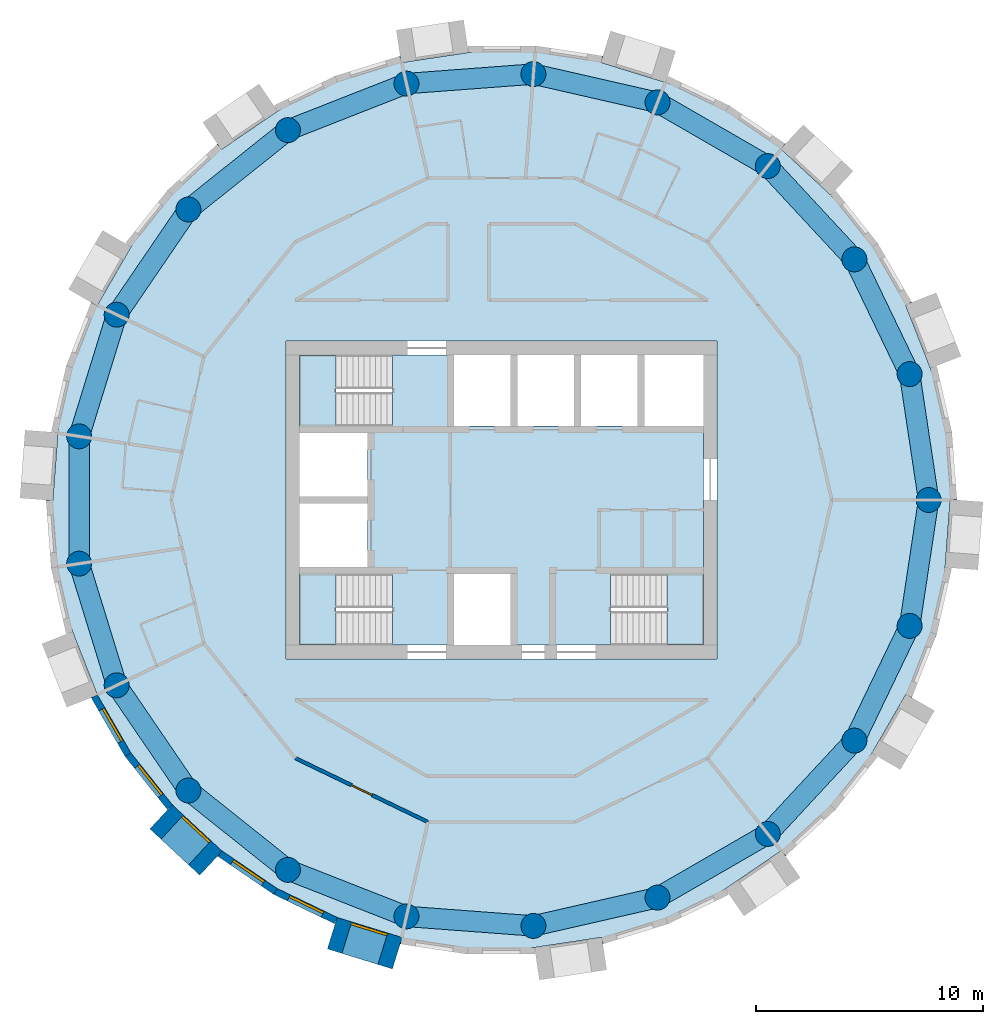
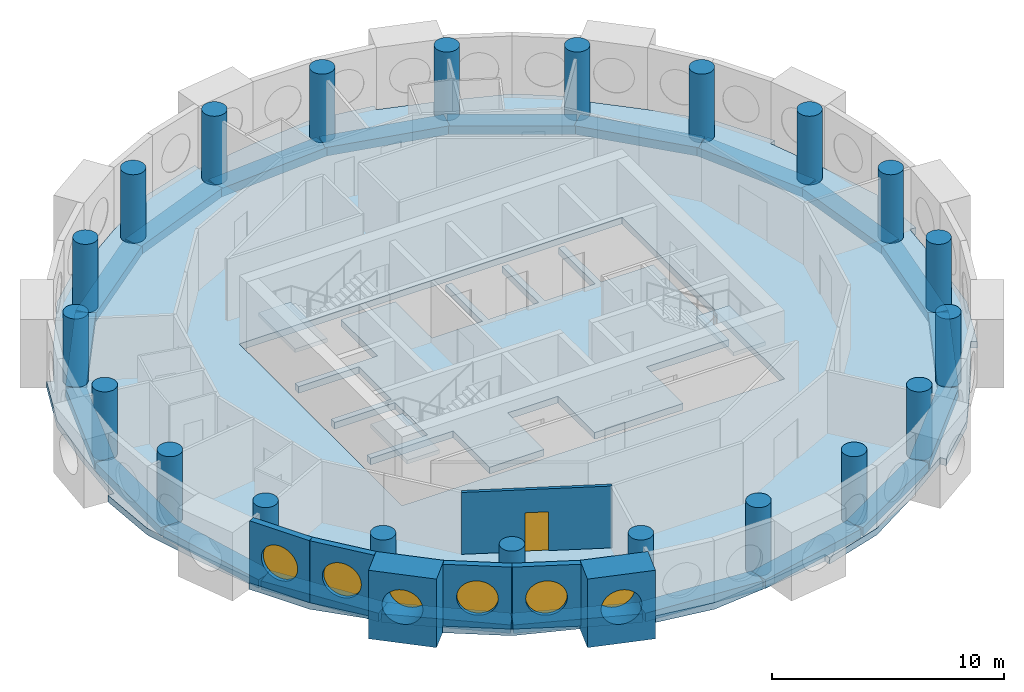
# One storey, part 1 of 12: 21 beams, 21 columns, 7 walls, 6 windows, 5 slabs, 1 door, 7 openings, 3 elements without a shape of their own.
"""IFC4 building model written with IfcOpenShell, lengths in metres."""

import ifcopenshell
import ifcopenshell.guid

model = None  # the IFC model being written
_history = None  # IfcOwnerHistory: only IFC2X3 demands one
_inside = {}  # id of a spatial element -> (the spatial element, [elements in it])
_under = {}  # id of a project, library or spatial element -> (it, [spatial elements below it])
_declared = {}  # id of a project -> (the project, [libraries it declares])
_typed = {}  # id of a type object -> (the type object, [elements of that type])
_made_of = {}  # id of a material, layer set ... -> (it, [elements and type objects made of it])


def new_model(schema):
    """Start an empty IFC model of exactly this schema.

    Asked for "IFC4X3", IfcOpenShell would pick the latest addendum, in which some entities
    have other attributes; the version numbers below select the first issue.
    IFC2X3 requires an IfcOwnerHistory on every rooted entity: one is made here for all.
    """
    global model, _history
    if schema == "IFC4X3":
        model = ifcopenshell.file(schema_version=(4, 3, 0, 0))
    else:
        model = ifcopenshell.file(schema=schema)
    _inside.clear()
    _under.clear()
    _declared.clear()
    _typed.clear()
    _made_of.clear()
    _history = None
    if model.schema == "IFC2X3":
        org = make("IfcOrganization", Name="unknown")
        user = make(
            "IfcPersonAndOrganization",
            ThePerson=make("IfcPerson", FamilyName="unknown"),
            TheOrganization=org,
        )
        app = make(
            "IfcApplication",
            ApplicationDeveloper=org,
            Version="unknown",
            ApplicationFullName="unknown",
            ApplicationIdentifier="unknown",
        )
        _history = make(
            "IfcOwnerHistory",
            OwningUser=user,
            OwningApplication=app,
            ChangeAction="ADDED",
            CreationDate=0,
        )
    return model


def make(cls, **values):
    """One entity of the class cls with the attributes given. An attribute that is None is left unset."""
    return model.create_entity(
        cls, **{name: value for name, value in values.items() if value is not None}
    )


def rooted(cls, **values):
    """An entity with a GlobalId (a new one), such as an element, a storey or a relation."""
    return make(cls, GlobalId=ifcopenshell.guid.new(), OwnerHistory=_history, **values)


def si_unit(unit_type, name, prefix=None):
    """IfcSIUnit, for example si_unit("LENGTHUNIT", "METRE", prefix="MILLI")."""
    return make("IfcSIUnit", UnitType=unit_type, Prefix=prefix, Name=name)


def assignment(units):
    """IfcUnitAssignment: the units of a project."""
    return None if units is None else make("IfcUnitAssignment", Units=units)


def point(xyz):
    """IfcCartesianPoint."""
    return None if xyz is None else make("IfcCartesianPoint", Coordinates=xyz)


def direction(xyz):
    """IfcDirection."""
    return None if xyz is None else make("IfcDirection", DirectionRatios=xyz)


def frame(location, z_axis=None, x_axis=None):
    """IfcAxis2Placement3D, a coordinate frame: its origin and axes. An axis left out is left unset."""
    return make(
        "IfcAxis2Placement3D",
        Location=point(location),
        Axis=direction(z_axis),
        RefDirection=direction(x_axis),
    )


def frame_2d(location, x_axis=None):
    """IfcAxis2Placement2D, a coordinate frame in the plane: its origin and x axis."""
    return make(
        "IfcAxis2Placement2D", Location=point(location), RefDirection=direction(x_axis)
    )


def origin():
    """The frame at (0, 0, 0) with its axes left unset."""
    return frame((0.0, 0.0, 0.0))


def origin_2d():
    """The frame at (0, 0) in the plane with its x axis left unset."""
    return frame_2d((0.0, 0.0))


def place(relative_to, where):
    """IfcLocalPlacement: puts the frame where relative to a parent placement (None: the world)."""
    return make(
        "IfcLocalPlacement", PlacementRelTo=relative_to, RelativePlacement=where
    )


def context(
    kind, dimensions, precision=None, world=None, true_north=None, identifier=None
):
    """IfcGeometricRepresentationContext, for example the 3D "Model" context."""
    return make(
        "IfcGeometricRepresentationContext",
        ContextIdentifier=identifier,
        ContextType=kind,
        CoordinateSpaceDimension=dimensions,
        Precision=precision,
        WorldCoordinateSystem=world,
        TrueNorth=true_north,
    )


def subcontext(parent, identifier, kind, view, scale=None):
    """IfcGeometricRepresentationSubContext, for example "Body" below "Model"."""
    return make(
        "IfcGeometricRepresentationSubContext",
        ContextIdentifier=identifier,
        ContextType=kind,
        ParentContext=parent,
        TargetScale=scale,
        TargetView=view,
    )


def project(units=None, contexts=None):
    """IfcProject with its units and contexts."""
    return rooted(
        "IfcProject",
        Name="project",
        RepresentationContexts=contexts,
        UnitsInContext=assignment(units),
    )


def spatial(cls, under=None, at=None, **own):
    """A site, building, storey or space (cls), placed at a placement, below another one or the project."""
    s = rooted(cls, ObjectPlacement=at, **own)
    if under is not None:
        _under.setdefault(under.id(), (under, []))[1].append(s)
    return s


def polyline(points):
    """IfcPolyline through the points."""
    return make("IfcPolyline", Points=[point(p) for p in points])


def profile(cls, at=None, kind="AREA", **sizes):
    """A parametric profile (cls). Its sizes go by their IFC names, for example OverallWidth=200.0."""
    return make(cls, ProfileType=kind, Position=at, **sizes)


def rectangle(**sizes):
    """IfcRectangleProfileDef."""
    return profile("IfcRectangleProfileDef", **sizes)


def circle(**sizes):
    """IfcCircleProfileDef."""
    return profile("IfcCircleProfileDef", **sizes)


def outline(outer, holes=None, kind="AREA"):
    """IfcArbitraryClosedProfileDef: a profile drawn as a closed curve; with holes, ...WithVoids."""
    if holes is None:
        return make("IfcArbitraryClosedProfileDef", ProfileType=kind, OuterCurve=outer)
    return make(
        "IfcArbitraryProfileDefWithVoids",
        ProfileType=kind,
        OuterCurve=outer,
        InnerCurves=holes,
    )


def extrude(swept, where, along, depth):
    """IfcExtrudedAreaSolid: the profile swept, set in the frame where, extruded along a direction by depth."""
    return make(
        "IfcExtrudedAreaSolid",
        SweptArea=swept,
        Position=where,
        ExtrudedDirection=direction(along),
        Depth=depth,
    )


def shape(context_of_items, identifier, shape_type, items):
    """IfcShapeRepresentation: the items that make up one representation, for example the "Body"."""
    return make(
        "IfcShapeRepresentation",
        ContextOfItems=context_of_items,
        RepresentationIdentifier=identifier,
        RepresentationType=shape_type,
        Items=items,
    )


def material(Name=None, Category=None):
    """IfcMaterial."""
    return make("IfcMaterial", Name=Name, Category=Category)


def layer(
    of_material, thickness, ventilated=None, Name=None, Category=None, Priority=None
):
    """IfcMaterialLayer: one layer of a wall or slab, of a material (None: an air gap)."""
    return make(
        "IfcMaterialLayer",
        Material=of_material,
        LayerThickness=thickness,
        IsVentilated=ventilated,
        Name=Name,
        Category=Category,
        Priority=Priority,
    )


def layer_set(layers, Name=None):
    """IfcMaterialLayerSet."""
    return make("IfcMaterialLayerSet", MaterialLayers=layers, LayerSetName=Name)


def material_profile(
    of_material, cross_section, Name=None, Category=None, Priority=None
):
    """IfcMaterialProfile: a cross section and its material."""
    return make(
        "IfcMaterialProfile",
        Name=Name,
        Material=of_material,
        Profile=cross_section,
        Priority=Priority,
        Category=Category,
    )


def profile_set(profiles, Name=None, composite=None):
    """IfcMaterialProfileSet."""
    return make(
        "IfcMaterialProfileSet",
        Name=Name,
        MaterialProfiles=profiles,
        CompositeProfile=composite,
    )


def made_of(thing, what):
    """Note that an element or type object is made of a material, layer set ...; save() writes the relation."""
    if what is not None:
        _made_of.setdefault(what.id(), (what, []))[1].append(thing)
    return thing


def type_object(cls, material=None, **own):
    """A type object (cls), such as IfcWallType, which elements share."""
    return made_of(rooted(cls, **own), material)


def element(
    cls,
    number,
    at=None,
    inside=None,
    cuts=None,
    type_object=None,
    material=None,
    context=None,
    identifier="Body",
    shape_type=None,
    held_by="IfcProductDefinitionShape",
    body=None,
    shapes=None,
    **own,
):
    """One element of the class cls, such as IfcWall. Its Tag is "e" and its number.

    at: its placement. inside: the storey or other place that contains it. cuts: it is an
    opening in that element (IfcRelVoidsElement). A single representation is given by context,
    identifier, shape_type and body (its items); several are given by shapes. held_by: the class
    of the entity that holds the representations. save() writes the other relations.
    """
    e = rooted(cls, Tag="e%d" % number, ObjectPlacement=at, **own)
    if body is not None:
        shapes = [shape(context, identifier, shape_type, body)]
    if shapes is not None:
        e.Representation = make(held_by, Representations=shapes)
    if inside is not None:
        _inside.setdefault(inside.id(), (inside, []))[1].append(e)
    if cuts is not None:
        rooted(
            "IfcRelVoidsElement", RelatingBuildingElement=cuts, RelatedOpeningElement=e
        )
    if type_object is not None:
        _typed.setdefault(type_object.id(), (type_object, []))[1].append(e)
    return made_of(e, material)


def fill(opening, filler):
    """IfcRelFillsElement: the door or window that sits in an opening."""
    return rooted(
        "IfcRelFillsElement",
        RelatingOpeningElement=opening,
        RelatedBuildingElement=filler,
    )


def aggregate(whole, parts):
    """IfcRelAggregates: a whole, such as a stair, and the parts it consists of."""
    return rooted("IfcRelAggregates", RelatingObject=whole, RelatedObjects=parts)


def save(model, path):
    """Write the relations noted so far, then the file.

    IfcRelAggregates (storeys below a building ...), IfcRelContainedInSpatialStructure (elements
    in a storey), IfcRelDefinesByType, IfcRelAssociatesMaterial and IfcRelDeclares: one each for
    every whole, place, type object, material and project.
    """
    for whole, parts in _under.values():
        aggregate(whole, parts)
    for where, things in _inside.values():
        rooted(
            "IfcRelContainedInSpatialStructure",
            RelatedElements=things,
            RelatingStructure=where,
        )
    for kind, things in _typed.values():
        rooted("IfcRelDefinesByType", RelatedObjects=things, RelatingType=kind)
    for what, things in _made_of.values():
        rooted("IfcRelAssociatesMaterial", RelatedObjects=things, RelatingMaterial=what)
    for by, libraries in _declared.values():
        rooted("IfcRelDeclares", RelatingContext=by, RelatedDefinitions=libraries)
    model.write(path)


model = new_model("IFC4")

# Units and contexts
model_context = context("Model", 3, precision=1e-05, world=origin(), true_north=direction((0.0, 1.0)))
body_context = subcontext(model_context, "Body", "Model", "MODEL_VIEW")
ifc_project = project(units=[si_unit("LENGTHUNIT", "METRE"), si_unit("AREAUNIT", "SQUARE_METRE"), si_unit("VOLUMEUNIT", "CUBIC_METRE"), si_unit("PLANEANGLEUNIT", "RADIAN"), si_unit("MASSUNIT", "GRAM", prefix="KILO")], contexts=[model_context])

# Site, building, storey
site_placement = place(None, origin())
site = spatial("IfcSite", under=ifc_project, at=site_placement, CompositionType="ELEMENT")
building_placement = place(site_placement, origin())
building = spatial("IfcBuilding", under=site, at=building_placement, Name="Tracery Tower", CompositionType="ELEMENT")
storey_placement = place(building_placement, frame((0.0, 0.0, 245.39990234375)))
storey = spatial("IfcBuildingStorey", under=building, at=storey_placement, Name="L63", CompositionType="ELEMENT", Elevation=245.39990234375)

# Columns
ifc_material_1 = material(Name="Concrete C40/50", Category="concrete")
ifc_material_profile_1 = material_profile(ifc_material_1, circle(Radius=0.550048828125, at=origin_2d()), Name="RC D1100")
ifc_profile_set_1 = profile_set([ifc_material_profile_1], Name="Concrete C40/50")
column_type = type_object("IfcColumnType", Name="Ring 2 column 1100", PredefinedType="COLUMN", material=ifc_profile_set_1)
for number, where, z_axis, x_axis, name in (
    (1, (18.822265625, 0.0, 0.0), (0.0, 0.0, 1.0), (1.0, 0.0, 0.0), "Ring 2 column 00 at L63"),
    (2, (17.986083984375, 5.5478515625, 0.0), (0.0, 0.0, 1.0), (1.0, 0.0, 0.0), "Ring 2 column 01 at L63"),
    (3, (15.551513671875, 10.602783203125, 0.0), (0.0, 0.0, 1.0), (1.0, 0.0, 0.0), "Ring 2 column 02 at L63"),
    (4, (11.7353515625, 14.7158203125, 0.0), (0.0, 0.0, 1.0), (1.0, 0.0, 0.0), "Ring 2 column 03 at L63"),
    (5, (6.87646484375, 17.52099609375, 0.0), (0.0, 0.0, 1.0), (1.0, 0.0, 0.0), "Ring 2 column 04 at L63"),
    (6, (1.406494140625, 18.76953125, 0.0), (0.0, 0.0, 1.0), (1.0, 0.0, 0.0), "Ring 2 column 05 at L63"),
    (7, (-4.188232421875, 18.350341796875, 0.0), (0.0, 0.0, 1.0), (1.0, 0.0, 0.0), "Ring 2 column 06 at L63"),
    (8, (-9.4111328125, 16.300537109375, 0.0), (0.0, 0.0, 1.0), (1.0, 0.0, 0.0), "Ring 2 column 07 at L63"),
    (9, (-13.797607421875, 12.802490234375, 0.0), (0.0, 0.0, 1.0), (1.0, 0.0, 0.0), "Ring 2 column 08 at L63"),
    (10, (-16.958251953125, 8.16650390625, 0.0), (0.0, 0.0, 1.0), (1.0, 0.0, 0.0), "Ring 2 column 09 at L63"),
    (11, (-18.612060546875, 2.805419921875, 0.0), (0.0, 0.0, 1.0), (1.0, 0.0, 0.0), "Ring 2 column 10 at L63"),
    (12, (-18.612060546875, -2.805419921875, 0.0), (0.0, 0.0, 1.0), (1.0, 0.0, 0.0), "Ring 2 column 11 at L63"),
    (13, (-16.958251953125, -8.166748046875, 0.0), (0.0, 0.0, 1.0), (1.0, 0.0, 0.0), "Ring 2 column 12 at L63"),
    (14, (-13.797607421875, -12.80224609375, 0.0), (0.0, 0.0, 1.0), (1.0, 0.0, 0.0), "Ring 2 column 13 at L63"),
    (15, (-9.4111328125, -16.300537109375, 0.0), (0.0, 0.0, 1.0), (1.0, 0.0, 0.0), "Ring 2 column 14 at L63"),
    (16, (-4.188232421875, -18.350341796875, 0.0), (0.0, 0.0, 1.0), (1.0, 0.0, 0.0), "Ring 2 column 15 at L63"),
    (17, (1.406494140625, -18.76953125, 0.0), (0.0, 0.0, 1.0), (1.0, 0.0, 0.0), "Ring 2 column 16 at L63"),
    (18, (6.87646484375, -17.52099609375, 0.0), (0.0, 0.0, 1.0), (1.0, 0.0, 0.0), "Ring 2 column 17 at L63"),
    (19, (11.7353515625, -14.7158203125, 0.0), (0.0, 0.0, 1.0), (1.0, 0.0, 0.0), "Ring 2 column 18 at L63"),
    (20, (15.551513671875, -10.602783203125, 0.0), (0.0, 0.0, 1.0), (1.0, 0.0, 0.0), "Ring 2 column 19 at L63"),
    (21, (17.986083984375, -5.5478515625, 0.0), (0.0, 0.0, 1.0), (1.0, 0.0, 0.0), "Ring 2 column 20 at L63"),
):
    element("IfcColumn", number, at=place(storey_placement, frame(where, z_axis=z_axis, x_axis=x_axis)), inside=storey, type_object=column_type, Name=name, PredefinedType="COLUMN", context=body_context, shape_type="SweptSolid", body=[
        extrude(circle(Radius=0.550048828125, at=origin_2d()), origin(), (0.0, 0.0, 1.0), 3.60009765625),
    ])

# Beams
ifc_material_2 = material(Name="Concrete C40/50", Category="concrete")
ifc_material_profile_2 = material_profile(ifc_material_2, rectangle(XDim=0.89990234375, YDim=0.449951171875, at=origin_2d()), Name="RC 900x450")
ifc_profile_set_2 = profile_set([ifc_material_profile_2], Name="Concrete C40/50")
beam_type = type_object("IfcBeamType", Name="Perimeter band beam 900x450", PredefinedType="BEAM", material=ifc_profile_set_2)
for number, where, z_axis, x_axis, name in (
    (22, (18.822265625, 0.0, -0.574951171875), (-0.149038355855, 0.988831415603, 0.0), (-0.988831415603, -0.149038355855, 0.0), "Perimeter beam 2.00 under L63"),
    (23, (17.986083984375, 5.5478515625, -0.574951171875), (-0.433918973155, 0.900951899235, 0.0), (-0.900951899235, -0.433918973155, 0.0), "Perimeter beam 2.01 under L63"),
):
    element("IfcBeam", number, at=place(storey_placement, frame(where, z_axis=z_axis, x_axis=x_axis)), inside=storey, type_object=beam_type, Name=name, PredefinedType="BEAM", context=body_context, shape_type="SweptSolid", body=[
        extrude(rectangle(XDim=0.89990234375, YDim=0.449951171875, at=origin_2d()), origin(), (0.0, 0.0, 1.0), 5.610595703125),
    ])
beam_1_placement = place(storey_placement, frame((15.551513671875, 10.602783203125, -0.574951171875), z_axis=(-0.680155630824, 0.733067744386, 0.0), x_axis=(-0.733067744386, -0.680155630824, 0.0)))
element("IfcBeam", 24, at=beam_1_placement, inside=storey, type_object=beam_type, Name="Perimeter beam 2.02 under L63", PredefinedType="BEAM", context=body_context, shape_type="SweptSolid", body=[
    extrude(rectangle(XDim=0.89990234375, YDim=0.449951171875, at=origin_2d()), origin(), (0.0, 0.0, 1.0), 5.61083984375),
])
for number, where, z_axis, x_axis, name in (
    (25, (11.7353515625, 14.7158203125, -0.574951171875), (-0.866033412818, 0.49998612769, 0.0), (-0.49998612769, -0.866033412818, 0.0), "Perimeter beam 2.03 under L63"),
    (26, (6.87646484375, 17.52099609375, -0.574951171875), (-0.974925977366, 0.222529410768, 0.0), (-0.222529410768, -0.974925977366, 0.0), "Perimeter beam 2.04 under L63"),
):
    element("IfcBeam", number, at=place(storey_placement, frame(where, z_axis=z_axis, x_axis=x_axis)), inside=storey, type_object=beam_type, Name=name, PredefinedType="BEAM", context=body_context, shape_type="SweptSolid", body=[
        extrude(rectangle(XDim=0.89990234375, YDim=0.449951171875, at=origin_2d()), origin(), (0.0, 0.0, 1.0), 5.610595703125),
    ])
beam_2_placement = place(storey_placement, frame((1.406494140625, 18.76953125, -0.574951171875), z_axis=(-0.997204824387, -0.07471638521, 0.0), x_axis=(0.07471638521, -0.997204824387, 0.0)))
element("IfcBeam", 27, at=beam_2_placement, inside=storey, type_object=beam_type, Name="Perimeter beam 2.05 under L63", PredefinedType="BEAM", context=body_context, shape_type="SweptSolid", body=[
    extrude(rectangle(XDim=0.89990234375, YDim=0.449951171875, at=origin_2d()), origin(), (0.0, 0.0, 1.0), 5.6103515625),
])
beam_3_placement = place(storey_placement, frame((-4.188232421875, 18.350341796875, -0.574951171875), z_axis=(-0.930875728468, -0.365335979817, 0.0), x_axis=(0.365335979817, -0.930875728468, 0.0)))
element("IfcBeam", 28, at=beam_3_placement, inside=storey, type_object=beam_type, Name="Perimeter beam 2.06 under L63", PredefinedType="BEAM", context=body_context, shape_type="SweptSolid", body=[
    extrude(rectangle(XDim=0.89990234375, YDim=0.449951171875, at=origin_2d()), origin(), (0.0, 0.0, 1.0), 5.61083984375),
])
beam_4_placement = place(storey_placement, frame((-9.4111328125, 16.300537109375, -0.574951171875), z_axis=(-0.781835817725, -0.623484365579, 0.0), x_axis=(0.623484365579, -0.781835817725, 0.0)))
element("IfcBeam", 29, at=beam_4_placement, inside=storey, type_object=beam_type, Name="Perimeter beam 2.07 under L63", PredefinedType="BEAM", context=body_context, shape_type="SweptSolid", body=[
    extrude(rectangle(XDim=0.89990234375, YDim=0.449951171875, at=origin_2d()), origin(), (0.0, 0.0, 1.0), 5.610595703125),
])
beam_5_placement = place(storey_placement, frame((-13.797607421875, 12.802490234375, -0.574951171875), z_axis=(-0.563305770578, -0.826248515178, 0.0), x_axis=(0.826248515178, -0.563305770578, 0.0)))
element("IfcBeam", 30, at=beam_5_placement, inside=storey, type_object=beam_type, Name="Perimeter beam 2.08 under L63", PredefinedType="BEAM", context=body_context, shape_type="SweptSolid", body=[
    extrude(rectangle(XDim=0.89990234375, YDim=0.449951171875, at=origin_2d()), origin(), (0.0, 0.0, 1.0), 5.61083984375),
])
beam_6_placement = place(storey_placement, frame((-16.958251953125, 8.16650390625, -0.574951171875), z_axis=(-0.294776851839, -0.955566118916, 0.0), x_axis=(0.955566118916, -0.294776851839, 0.0)))
element("IfcBeam", 31, at=beam_6_placement, inside=storey, type_object=beam_type, Name="Perimeter beam 2.09 under L63", PredefinedType="BEAM", context=body_context, shape_type="SweptSolid", body=[
    extrude(rectangle(XDim=0.89990234375, YDim=0.449951171875, at=origin_2d()), origin(), (0.0, 0.0, 1.0), 5.6103515625),
])
beam_7_placement = place(storey_placement, frame((-18.612060546875, 2.805419921875, -0.574951171875), z_axis=(0.0, -1.0, 0.0), x_axis=(1.0, 0.0, 0.0)))
element("IfcBeam", 32, at=beam_7_placement, inside=storey, type_object=beam_type, Name="Perimeter beam 2.10 under L63", PredefinedType="BEAM", context=body_context, shape_type="SweptSolid", body=[
    extrude(rectangle(XDim=0.89990234375, YDim=0.449951171875, at=origin_2d()), origin(), (0.0, 0.0, 1.0), 5.61083984375),
])
for number, where, z_axis, x_axis, name in (
    (33, (-18.612060546875, -2.805419921875, -0.574951171875), (0.294764594813, -0.955569899926, 0.0), (0.955569899926, 0.294764594813, 0.0), "Perimeter beam 2.11 under L63"),
    (34, (-16.958251953125, -8.166748046875, -0.574951171875), (0.5633462764, -0.826220898348, 0.0), (0.826220898348, 0.5633462764, 0.0), "Perimeter beam 2.12 under L63"),
    (35, (-13.797607421875, -12.80224609375, -0.574951171875), (0.781814605872, -0.623510963853, 0.0), (0.623510963853, 0.781814605872, 0.0), "Perimeter beam 2.13 under L63"),
):
    element("IfcBeam", number, at=place(storey_placement, frame(where, z_axis=z_axis, x_axis=x_axis)), inside=storey, type_object=beam_type, Name=name, PredefinedType="BEAM", context=body_context, shape_type="SweptSolid", body=[
        extrude(rectangle(XDim=0.89990234375, YDim=0.449951171875, at=origin_2d()), origin(), (0.0, 0.0, 1.0), 5.610595703125),
    ])
beam_8_placement = place(storey_placement, frame((-9.4111328125, -16.300537109375, -0.574951171875), z_axis=(0.930875728468, -0.365335979817, 0.0), x_axis=(0.365335979817, 0.930875728468, 0.0)))
element("IfcBeam", 36, at=beam_8_placement, inside=storey, type_object=beam_type, Name="Perimeter beam 2.14 under L63", PredefinedType="BEAM", context=body_context, shape_type="SweptSolid", body=[
    extrude(rectangle(XDim=0.89990234375, YDim=0.449951171875, at=origin_2d()), origin(), (0.0, 0.0, 1.0), 5.61083984375),
])
beam_9_placement = place(storey_placement, frame((-4.188232421875, -18.350341796875, -0.574951171875), z_axis=(0.997204824387, -0.07471638521, 0.0), x_axis=(0.07471638521, 0.997204824387, 0.0)))
element("IfcBeam", 37, at=beam_9_placement, inside=storey, type_object=beam_type, Name="Perimeter beam 2.15 under L63", PredefinedType="BEAM", context=body_context, shape_type="SweptSolid", body=[
    extrude(rectangle(XDim=0.89990234375, YDim=0.449951171875, at=origin_2d()), origin(), (0.0, 0.0, 1.0), 5.6103515625),
])
for number, where, z_axis, x_axis, name in (
    (38, (1.406494140625, -18.76953125, -0.574951171875), (0.974925977366, 0.222529410768, 0.0), (-0.222529410768, 0.974925977366, 0.0), "Perimeter beam 2.16 under L63"),
    (39, (6.87646484375, -17.52099609375, -0.574951171875), (0.866033412818, 0.49998612769, 0.0), (-0.49998612769, 0.866033412818, 0.0), "Perimeter beam 2.17 under L63"),
):
    element("IfcBeam", number, at=place(storey_placement, frame(where, z_axis=z_axis, x_axis=x_axis)), inside=storey, type_object=beam_type, Name=name, PredefinedType="BEAM", context=body_context, shape_type="SweptSolid", body=[
        extrude(rectangle(XDim=0.89990234375, YDim=0.449951171875, at=origin_2d()), origin(), (0.0, 0.0, 1.0), 5.610595703125),
    ])
beam_10_placement = place(storey_placement, frame((11.7353515625, -14.7158203125, -0.574951171875), z_axis=(0.680155630824, 0.733067744386, 0.0), x_axis=(-0.733067744386, 0.680155630824, 0.0)))
element("IfcBeam", 40, at=beam_10_placement, inside=storey, type_object=beam_type, Name="Perimeter beam 2.18 under L63", PredefinedType="BEAM", context=body_context, shape_type="SweptSolid", body=[
    extrude(rectangle(XDim=0.89990234375, YDim=0.449951171875, at=origin_2d()), origin(), (0.0, 0.0, 1.0), 5.61083984375),
])
for number, where, z_axis, x_axis, name in (
    (41, (15.551513671875, -10.602783203125, -0.574951171875), (0.433918973155, 0.900951899235, 0.0), (-0.900951899235, 0.433918973155, 0.0), "Perimeter beam 2.19 under L63"),
    (42, (17.986083984375, -5.5478515625, -0.574951171875), (0.149038355855, 0.988831415603, 0.0), (-0.988831415603, 0.149038355855, 0.0), "Perimeter beam 2.20 under L63"),
):
    element("IfcBeam", number, at=place(storey_placement, frame(where, z_axis=z_axis, x_axis=x_axis)), inside=storey, type_object=beam_type, Name=name, PredefinedType="BEAM", context=body_context, shape_type="SweptSolid", body=[
        extrude(rectangle(XDim=0.89990234375, YDim=0.449951171875, at=origin_2d()), origin(), (0.0, 0.0, 1.0), 5.610595703125),
    ])

# Slabs
ifc_material_3 = material(Name="Concrete C40/50", Category="concrete")
ifc_layer_1 = layer(ifc_material_3, 0.35009765625)
ifc_layer_set_1 = layer_set([ifc_layer_1], Name="Core floor slab 350 C40")
slab_type_1 = type_object("IfcSlabType", Name="Core floor slab 350 C40", PredefinedType="FLOOR", material=ifc_layer_set_1)
slab_1_placement = place(storey_placement, frame((0.0, 0.0, -0.349853515625)))
element("IfcSlab", 43, at=slab_1_placement, inside=storey, type_object=slab_type_1, Name="L63 core floor 1", PredefinedType="FLOOR", context=body_context, shape_type="SweptSolid", body=[
    extrude(outline(polyline([(-4.800537109375, -3.25), (-8.89990234375, -3.25), (-8.89990234375, -2.949951171875), (-5.89990234375, -2.949951171875), (-5.89990234375, -0.14990234375), (-8.89990234375, -0.14990234375), (-8.89990234375, 0.14990234375), (-5.89990234375, 0.14990234375), (-5.89990234375, 2.949951171875), (-8.89990234375, 2.949951171875), (-8.89990234375, 3.25), (-4.800537109375, 3.25), (-4.800537109375, 6.39990234375), (-2.10009765625, 6.39990234375), (-2.10009765625, 3.25), (0.39990234375, 3.25), (0.39990234375, 6.39990234375), (0.699951171875, 6.39990234375), (0.699951171875, 3.25), (3.199951171875, 3.25), (3.199951171875, 6.39990234375), (3.5, 6.39990234375), (3.5, 3.25), (6.0, 3.25), (6.0, 6.39990234375), (6.300048828125, 6.39990234375), (6.300048828125, 3.25), (8.89990234375, 3.25), (8.89990234375, -3.25), (4.800537109375, -3.25), (4.800537109375, -6.39990234375), (0.39990234375, -6.39990234375), (0.39990234375, -3.25), (-2.10009765625, -3.25), (-2.10009765625, -6.39990234375), (-4.800537109375, -6.39990234375), (-4.800537109375, -3.25)])), origin(), (0.0, 0.0, 1.0), 0.349853515625),
])
ifc_material_4 = material(Name="Concrete C40/50", Category="concrete")
ifc_layer_2 = layer(ifc_material_4, 0.35009765625)
ifc_layer_set_2 = layer_set([ifc_layer_2], Name="Floor slab 350")
slab_type_2 = type_object("IfcSlabType", Name="Floor slab 350", PredefinedType="FLOOR", material=ifc_layer_set_2)
slab_2_placement = place(storey_placement, frame((0.0, 0.0, -0.349853515625)))
element("IfcSlab", 44, at=slab_2_placement, inside=storey, type_object=slab_type_2, Name="Floor slab L63", PredefinedType="FLOOR", context=body_context, shape_type="SweptSolid", body=[
    extrude(outline(polyline([(18.89306640625, 5.827392578125), (17.80517578125, 8.599365234375), (18.084228515625, 8.708984375), (18.08447265625, 8.708984375), (16.58447265625, 11.30712890625), (14.493408203125, 13.447998046875), (12.3271484375, 15.4580078125), (12.3271484375, 15.4580078125), (12.310791015625, 15.47314453125), (12.5146484375, 15.69287109375), (12.514892578125, 15.693115234375), (10.0361328125, 17.383056640625), (7.223388671875, 18.404541015625), (4.3994140625, 19.275634765625), (4.3994140625, 19.275634765625), (4.378173828125, 19.2822265625), (4.466552734375, 19.56884765625), (1.5, 20.01611328125), (-1.47705078125, 19.716064453125), (-2.3466796875, 19.585205078125), (-4.3994140625, 19.275634765625), (-4.3994140625, 19.275634765625), (-4.421875, 19.272216796875), (-4.46630859375, 19.568603515625), (-4.466552734375, 19.56884765625), (-7.333251953125, 18.684814453125), (-9.885498046875, 17.12255859375), (-12.345703125, 15.4453125), (-12.514892578125, 15.693115234375), (-14.714111328125, 13.652587890625), (-16.335693359375, 11.13818359375), (-17.82470703125, 8.55908203125), (-18.08447265625, 8.708984375), (-19.180419921875, 5.91650390625), (-19.550537109375, 2.94677734375), (-19.63720703125, 1.789306640625), (-19.77294921875, -0.0224609375), (-20.072265625, 0.0), (-20.072265625, 0.0), (-19.847900390625, -2.99169921875), (-18.89306640625, -5.827392578125), (-17.80517578125, -8.599365234375), (-18.084228515625, -8.708984375), (-18.08447265625, -8.708984375), (-16.58447265625, -11.30712890625), (-14.493408203125, -13.447998046875), (-12.3271484375, -15.4580078125), (-12.3271484375, -15.4580078125), (-12.310791015625, -15.47314453125), (-12.5146484375, -15.69287109375), (-12.514892578125, -15.693115234375), (-10.0361328125, -17.383056640625), (-7.223388671875, -18.404541015625), (-4.3994140625, -19.275634765625), (-4.3994140625, -19.275634765625), (-4.378173828125, -19.2822265625), (-4.466552734375, -19.56884765625), (-1.5, -20.01611328125), (1.47705078125, -19.716064453125), (2.3466796875, -19.585205078125), (4.3994140625, -19.275634765625), (4.3994140625, -19.275634765625), (4.421875, -19.272216796875), (4.46630859375, -19.568603515625), (4.466552734375, -19.56884765625), (7.333251953125, -18.684814453125), (9.885498046875, -17.12255859375), (12.345703125, -15.4453125), (12.514892578125, -15.693115234375), (14.714111328125, -13.652587890625), (16.335693359375, -11.13818359375), (17.82470703125, -8.55908203125), (18.08447265625, -8.708984375), (19.180419921875, -5.91650390625), (19.550537109375, -2.94677734375), (19.63720703125, -1.789306640625), (19.77294921875, 0.0224609375), (20.072265625, 0.0), (19.847900390625, 2.99169921875), (18.89306640625, 5.827392578125)]), holes=[polyline([(-9.5, -7.0), (9.5, -7.0), (9.5, 7.0), (-9.5, 7.0), (-9.5, -7.0)])]), origin(), (0.0, 0.0, 1.0), 0.349853515625),
])

# Stair, slab
ifc_material_5 = material(Name="Concrete C32/40", Category="concrete")
stair_type = type_object("IfcStairType", Name="Core stair 22 risers", PredefinedType="HALF_TURN_STAIR", material=ifc_material_5)
stair_1_placement = place(storey_placement, origin())
stair_1 = element("IfcStair", 45, at=stair_1_placement, inside=storey, type_object=stair_type, Name="L63 stair ST1", PredefinedType="HALF_TURN_STAIR")
ifc_material_6 = material(Name="Concrete C32/40", Category="concrete")
ifc_layer_3 = layer(ifc_material_6, 0.199951171875)
ifc_layer_set_3 = layer_set([ifc_layer_3], Name="Stair landing slab 200")
slab_type_3 = type_object("IfcSlabType", Name="Stair landing slab 200", PredefinedType="LANDING", material=ifc_layer_set_3)
slab_3_placement = place(storey_placement, frame((0.0, 0.0, 1.60009765625)))
slab_3 = element("IfcSlab", 46, at=slab_3_placement, type_object=slab_type_3, Name="ST1 landing 1", PredefinedType="LANDING", context=body_context, shape_type="SweptSolid", body=[
    extrude(outline(polyline([(-7.29931640625, -3.25), (-8.89990234375, -3.25), (-8.89990234375, -6.39990234375), (-7.29931640625, -6.39990234375), (-7.29931640625, -3.25)])), origin(), (0.0, 0.0, 1.0), 0.199951171875),
])
aggregate(stair_1, [slab_3])

stair_2_placement = place(storey_placement, origin())
stair_2 = element("IfcStair", 47, at=stair_2_placement, inside=storey, type_object=stair_type, Name="L63 stair ST3", PredefinedType="HALF_TURN_STAIR")
slab_4_placement = place(storey_placement, frame((0.0, 0.0, 1.60009765625)))
slab_4 = element("IfcSlab", 48, at=slab_4_placement, type_object=slab_type_3, Name="ST3 landing 1", PredefinedType="LANDING", context=body_context, shape_type="SweptSolid", body=[
    extrude(outline(polyline([(-7.29931640625, 6.39990234375), (-8.89990234375, 6.39990234375), (-8.89990234375, 3.25), (-7.29931640625, 3.25), (-7.29931640625, 6.39990234375)])), origin(), (0.0, 0.0, 1.0), 0.199951171875),
])
aggregate(stair_2, [slab_4])

stair_3_placement = place(storey_placement, origin())
stair_3 = element("IfcStair", 49, at=stair_3_placement, inside=storey, type_object=stair_type, Name="L63 stair ST2", PredefinedType="HALF_TURN_STAIR")
slab_5_placement = place(storey_placement, frame((0.0, 0.0, 1.60009765625)))
slab_5 = element("IfcSlab", 50, at=slab_5_placement, type_object=slab_type_3, Name="ST2 landing 1", PredefinedType="LANDING", context=body_context, shape_type="SweptSolid", body=[
    extrude(outline(polyline([(7.29931640625, -6.39990234375), (8.89990234375, -6.39990234375), (8.89990234375, -3.25), (7.29931640625, -3.25), (7.29931640625, -6.39990234375)])), origin(), (0.0, 0.0, 1.0), 0.199951171875),
])
aggregate(stair_3, [slab_5])

# Wall, opening, window
ifc_material_7 = material(Name="Precast concrete C50/60", Category="concrete")
ifc_layer_4 = layer(ifc_material_7, 1.449951171875)
ifc_layer_set_4 = layer_set([ifc_layer_4], Name="Deep-set bay unit 3000 x 3600, slab edge 350")
wall_type_1 = type_object("IfcWallType", Name="Deep-set bay unit 3000 x 3600, slab edge 350", PredefinedType="ELEMENTEDWALL", material=ifc_layer_set_4)
wall_1_placement = place(storey_placement, frame((-15.0029296875, -13.964111328125, -0.349853515625), z_axis=(0.0, 0.0, 1.0), x_axis=(0.733022439167, -0.680204457261, 0.0)))
wall_1 = element("IfcWall", 51, at=wall_1_placement, inside=storey, type_object=wall_type_1, Name="Deep-set bay unit 27 at L63", PredefinedType="ELEMENTEDWALL", context=body_context, shape_type="SweptSolid", body=[
    extrude(rectangle(XDim=2.999755859375, YDim=1.449951171875, at=frame_2d((1.5, 0.0))), origin(), (0.0, 0.0, 1.0), 3.599853515625),
])
opening_1_placement = place(wall_1_placement, frame((1.5, 0.0, 1.89990234375)))
opening_1 = element("IfcOpeningElement", 52, at=opening_1_placement, cuts=wall_1, Name="Opening WN1", PredefinedType="OPENING", context=body_context, shape_type="SweptSolid", body=[
    extrude(circle(Radius=0.9000244140625, at=origin_2d()), frame((0.0, 0.73486328125, 0.0), z_axis=(0.0, -1.0, 0.0), x_axis=(1.0, 0.0, 0.0)), (0.0, 0.0, 1.0), 1.469970703125),
])
ifc_material_8 = material(Name="Aluminium frame with tinted double glazing", Category="aluminium")
window_type = type_object("IfcWindowType", Name="Round window 1800", PartitioningType="SINGLE_PANEL", PredefinedType="WINDOW", material=ifc_material_8)
window_1_placement = place(opening_1_placement, origin())
window_1 = element("IfcWindow", 53, at=window_1_placement, inside=storey, type_object=window_type, Name="Round window 27 at L63", OverallHeight=1.800048828125, OverallWidth=1.800048828125, PartitioningType="SINGLE_PANEL", PredefinedType="WINDOW", context=body_context, shape_type="SweptSolid", body=[
    extrude(circle(Radius=0.9000244140625, at=origin_2d()), frame((0.0, 0.69482421875, 0.0), z_axis=(0.0, -1.0, 0.0), x_axis=(1.0, 0.0, 0.0)), (0.0, 0.0, 1.0), 0.10009765625),
])
fill(opening_1, window_1)

wall_2_placement = place(storey_placement, frame((-7.45849609375, -19.0908203125, -0.349853515625), z_axis=(0.0, 0.0, 1.0), x_axis=(0.955571139978, -0.294760574774, 0.0)))
wall_2 = element("IfcWall", 54, at=wall_2_placement, inside=storey, type_object=wall_type_1, Name="Deep-set bay unit 30 at L63", PredefinedType="ELEMENTEDWALL", context=body_context, shape_type="SweptSolid", body=[
    extrude(rectangle(XDim=3.0, YDim=1.449951171875, at=frame_2d((1.5, 0.0))), origin(), (0.0, 0.0, 1.0), 3.599853515625),
])
opening_2_placement = place(wall_2_placement, frame((1.5, 0.0, 1.89990234375)))
opening_2 = element("IfcOpeningElement", 55, at=opening_2_placement, cuts=wall_2, Name="Opening WN1", PredefinedType="OPENING", context=body_context, shape_type="SweptSolid", body=[
    extrude(circle(Radius=0.9000244140625, at=origin_2d()), frame((0.0, 0.73486328125, 0.0), z_axis=(0.0, -1.0, 0.0), x_axis=(1.0, 0.0, 0.0)), (0.0, 0.0, 1.0), 1.469970703125),
])
window_2_placement = place(opening_2_placement, origin())
window_2 = element("IfcWindow", 56, at=window_2_placement, inside=storey, type_object=window_type, Name="Round window 30 at L63", OverallHeight=1.800048828125, OverallWidth=1.800048828125, PartitioningType="SINGLE_PANEL", PredefinedType="WINDOW", context=body_context, shape_type="SweptSolid", body=[
    extrude(circle(Radius=0.9000244140625, at=origin_2d()), frame((0.0, 0.69482421875, 0.0), z_axis=(0.0, -1.0, 0.0), x_axis=(1.0, 0.0, 0.0)), (0.0, 0.0, 1.0), 0.10009765625),
])
fill(opening_2, window_2)

ifc_material_9 = material(Name="Precast concrete C50/60", Category="concrete")
ifc_layer_5 = layer(ifc_material_9, 0.300048828125)
ifc_layer_set_5 = layer_set([ifc_layer_5], Name="Facade panel 3000 x 3250")
wall_type_2 = type_object("IfcWallType", Name="Facade panel 3000 x 3250", PredefinedType="SOLIDWALL", material=ifc_layer_set_5)
wall_3_placement = place(storey_placement, frame((-17.941162109375, -8.656982421875, 0.0), z_axis=(0.0, 0.0, 1.0), x_axis=(0.499950756475, -0.86605383268, 0.0)))
wall_3 = element("IfcWall", 57, at=wall_3_placement, inside=storey, type_object=wall_type_2, Name="Facade panel 25 at L63", PredefinedType="SOLIDWALL", context=body_context, shape_type="SweptSolid", body=[
    extrude(rectangle(XDim=2.962158203125, YDim=0.300048828125, at=frame_2d((1.48095703125, 0.0))), origin(), (0.0, 0.0, 1.0), 3.25),
])
opening_3_placement = place(wall_3_placement, frame((1.48095703125, 0.0, 1.5498046875)))
opening_3 = element("IfcOpeningElement", 58, at=opening_3_placement, cuts=wall_3, Name="Opening WN1", PredefinedType="OPENING", context=body_context, shape_type="SweptSolid", body=[
    extrude(circle(Radius=0.9000244140625, at=origin_2d()), frame((0.0, 0.159912109375, 0.0), z_axis=(0.0, -1.0, 0.0), x_axis=(1.0, 0.0, 0.0)), (0.0, 0.0, 1.0), 0.320068359375),
])
window_3_placement = place(opening_3_placement, origin())
window_3 = element("IfcWindow", 59, at=window_3_placement, inside=storey, type_object=window_type, Name="Round window 25 at L63", OverallHeight=1.800048828125, OverallWidth=1.800048828125, PartitioningType="SINGLE_PANEL", PredefinedType="WINDOW", context=body_context, shape_type="SweptSolid", body=[
    extrude(circle(Radius=0.9000244140625, at=origin_2d()), frame((0.0, 0.1201171875, 0.0), z_axis=(0.0, -1.0, 0.0), x_axis=(1.0, 0.0, 0.0)), (0.0, 0.0, 1.0), 0.10009765625),
])
fill(opening_3, window_3)

wall_4_placement = place(storey_placement, frame((-16.460205078125, -11.222412109375, 0.0), z_axis=(0.0, 0.0, 1.0), x_axis=(0.623498236992, -0.781824755599, 0.0)))
wall_4 = element("IfcWall", 60, at=wall_4_placement, inside=storey, type_object=wall_type_2, Name="Facade panel 26 at L63", PredefinedType="SOLIDWALL", context=body_context, shape_type="SweptSolid", body=[
    extrude(rectangle(XDim=2.962158203125, YDim=0.300048828125, at=frame_2d((1.48095703125, 0.0))), origin(), (0.0, 0.0, 1.0), 3.25),
])
opening_4_placement = place(wall_4_placement, frame((1.48095703125, 0.0, 1.5498046875)))
opening_4 = element("IfcOpeningElement", 61, at=opening_4_placement, cuts=wall_4, Name="Opening WN1", PredefinedType="OPENING", context=body_context, shape_type="SweptSolid", body=[
    extrude(circle(Radius=0.9000244140625, at=origin_2d()), frame((0.0, 0.159912109375, 0.0), z_axis=(0.0, -1.0, 0.0), x_axis=(1.0, 0.0, 0.0)), (0.0, 0.0, 1.0), 0.320068359375),
])
window_4_placement = place(opening_4_placement, origin())
window_4 = element("IfcWindow", 62, at=window_4_placement, inside=storey, type_object=window_type, Name="Round window 26 at L63", OverallHeight=1.800048828125, OverallWidth=1.800048828125, PartitioningType="SINGLE_PANEL", PredefinedType="WINDOW", context=body_context, shape_type="SweptSolid", body=[
    extrude(circle(Radius=0.9000244140625, at=origin_2d()), frame((0.0, 0.1201171875, 0.0), z_axis=(0.0, -1.0, 0.0), x_axis=(1.0, 0.0, 0.0)), (0.0, 0.0, 1.0), 0.10009765625),
])
fill(opening_4, window_4)

wall_5_placement = place(storey_placement, frame((-12.408447265625, -15.583984375, 0.0), z_axis=(0.0, 0.0, 1.0), x_axis=(0.826236061068, -0.563324037646, 0.0)))
wall_5 = element("IfcWall", 63, at=wall_5_placement, inside=storey, type_object=wall_type_2, Name="Facade panel 28 at L63", PredefinedType="SOLIDWALL", context=body_context, shape_type="SweptSolid", body=[
    extrude(rectangle(XDim=2.962158203125, YDim=0.300048828125, at=frame_2d((1.48095703125, 0.0))), origin(), (0.0, 0.0, 1.0), 3.25),
])
opening_5_placement = place(wall_5_placement, frame((1.48095703125, 0.0, 1.5498046875)))
opening_5 = element("IfcOpeningElement", 64, at=opening_5_placement, cuts=wall_5, Name="Opening WN1", PredefinedType="OPENING", context=body_context, shape_type="SweptSolid", body=[
    extrude(circle(Radius=0.9000244140625, at=origin_2d()), frame((0.0, 0.159912109375, 0.0), z_axis=(0.0, -1.0, 0.0), x_axis=(1.0, 0.0, 0.0)), (0.0, 0.0, 1.0), 0.320068359375),
])
window_5_placement = place(opening_5_placement, origin())
window_5 = element("IfcWindow", 65, at=window_5_placement, inside=storey, type_object=window_type, Name="Round window 28 at L63", OverallHeight=1.800048828125, OverallWidth=1.800048828125, PartitioningType="SINGLE_PANEL", PredefinedType="WINDOW", context=body_context, shape_type="SweptSolid", body=[
    extrude(circle(Radius=0.9000244140625, at=origin_2d()), frame((0.0, 0.1201171875, 0.0), z_axis=(0.0, -1.0, 0.0), x_axis=(1.0, 0.0, 0.0)), (0.0, 0.0, 1.0), 0.10009765625),
])
fill(opening_5, window_5)

wall_6_placement = place(storey_placement, frame((-9.9609375, -17.252685546875, 0.0), z_axis=(0.0, 0.0, 1.0), x_axis=(0.90095513435, -0.433912255978, 0.0)))
wall_6 = element("IfcWall", 66, at=wall_6_placement, inside=storey, type_object=wall_type_2, Name="Facade panel 29 at L63", PredefinedType="SOLIDWALL", context=body_context, shape_type="SweptSolid", body=[
    extrude(rectangle(XDim=2.96240234375, YDim=0.300048828125, at=frame_2d((1.481201171875, 0.0))), origin(), (0.0, 0.0, 1.0), 3.25),
])
opening_6_placement = place(wall_6_placement, frame((1.48095703125, 0.0, 1.5498046875)))
opening_6 = element("IfcOpeningElement", 67, at=opening_6_placement, cuts=wall_6, Name="Opening WN1", PredefinedType="OPENING", context=body_context, shape_type="SweptSolid", body=[
    extrude(circle(Radius=0.9000244140625, at=origin_2d()), frame((0.0, 0.159912109375, 0.0), z_axis=(0.0, -1.0, 0.0), x_axis=(1.0, 0.0, 0.0)), (0.0, 0.0, 1.0), 0.320068359375),
])
window_6_placement = place(opening_6_placement, origin())
window_6 = element("IfcWindow", 68, at=window_6_placement, inside=storey, type_object=window_type, Name="Round window 29 at L63", OverallHeight=1.800048828125, OverallWidth=1.800048828125, PartitioningType="SINGLE_PANEL", PredefinedType="WINDOW", context=body_context, shape_type="SweptSolid", body=[
    extrude(circle(Radius=0.9000244140625, at=origin_2d()), frame((0.0, 0.1201171875, 0.0), z_axis=(0.0, -1.0, 0.0), x_axis=(1.0, 0.0, 0.0)), (0.0, 0.0, 1.0), 0.10009765625),
])
fill(opening_6, window_6)

# Wall, opening, door
ifc_material_10 = material(Name="Plasterboard on steel studs", Category="steel")
ifc_layer_6 = layer(ifc_material_10, 0.14990234375)
ifc_layer_set_6 = layer_set([ifc_layer_6], Name="Partition 150 corridor wall")
wall_type_3 = type_object("IfcWallType", Name="Partition 150 corridor wall", PredefinedType="PARTITIONING", material=ifc_layer_set_6)
wall_7_placement = place(storey_placement, frame((-9.075927734375, -11.381103515625, 0.0), z_axis=(0.0, 0.0, 1.0), x_axis=(0.900976027191, -0.433868872388, 0.0)))
wall_7 = element("IfcWall", 69, at=wall_7_placement, inside=storey, type_object=wall_type_3, Name="Corridor wall RC2-039", PredefinedType="PARTITIONING", context=body_context, shape_type="SweptSolid", body=[
    extrude(rectangle(XDim=6.478515625, YDim=0.14990234375, at=frame_2d((3.2392578125, 0.0))), origin(), (0.0, 0.0, 1.0), 3.25),
])
opening_7_placement = place(wall_7_placement, frame((2.739501953125, 0.0, 0.0)))
opening_7 = element("IfcOpeningElement", 70, at=opening_7_placement, cuts=wall_7, Name="Opening RC2-18", PredefinedType="OPENING", context=body_context, shape_type="SweptSolid", body=[
    extrude(rectangle(XDim=1.0, YDim=2.0400390625, at=frame_2d((0.5, 1.02001953125))), frame((0.0, 0.074951171875, 0.0), z_axis=(0.0, -1.0, 0.0), x_axis=(1.0, 0.0, 0.0)), (0.0, 0.0, 1.0), 0.14990234375),
])
ifc_material_11 = material(Name="Timber door leaf", Category="wood")
door_type = type_object("IfcDoorType", Name="Door communal room 1000", OperationType="NOTDEFINED", PredefinedType="DOOR", material=ifc_material_11)
door_placement = place(opening_7_placement, origin())
door = element("IfcDoor", 71, at=door_placement, inside=storey, type_object=door_type, Name="Communal room door RC2-18", OperationType="SINGLE_SWING_LEFT", OverallHeight=2.0400390625, OverallWidth=1.0, PredefinedType="DOOR", context=body_context, shape_type="SweptSolid", body=[
    extrude(rectangle(XDim=1.0, YDim=2.0400390625, at=frame_2d((0.5, 1.02001953125))), frame((0.0, 0.02490234375, 0.0), z_axis=(0.0, -1.0, 0.0), x_axis=(1.0, 0.0, 0.0)), (0.0, 0.0, 1.0), 0.050048828125),
])
fill(opening_7, door)

save(model, "model.ifc")
